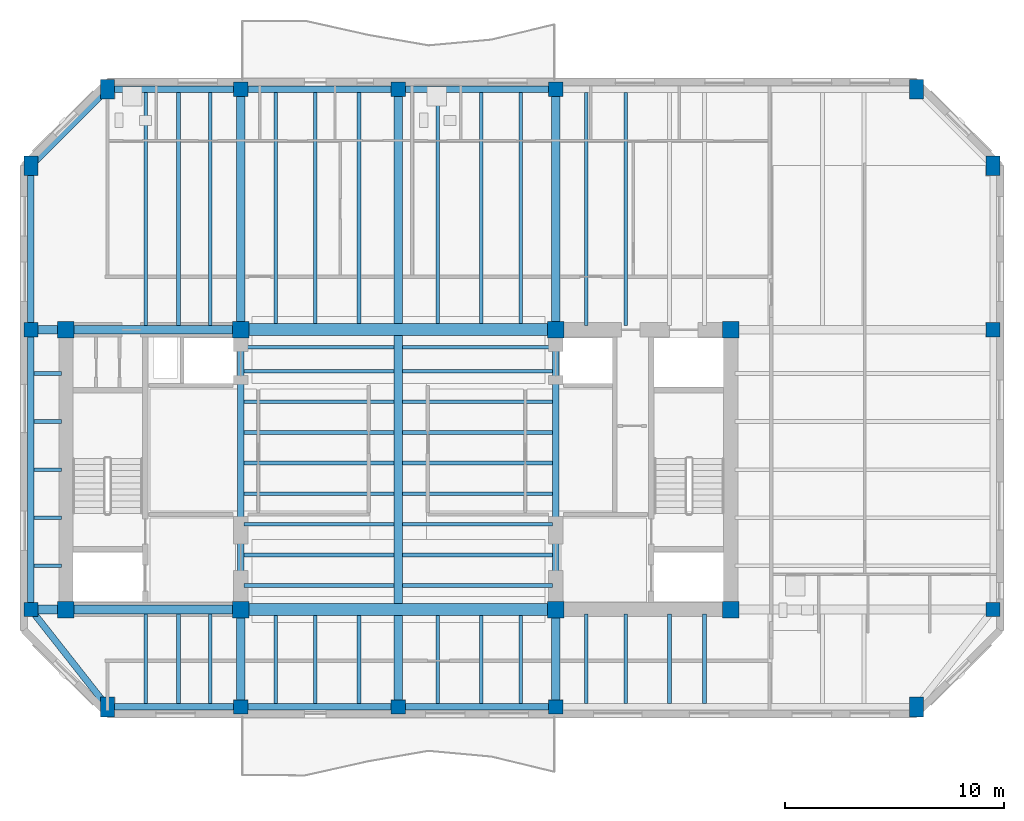
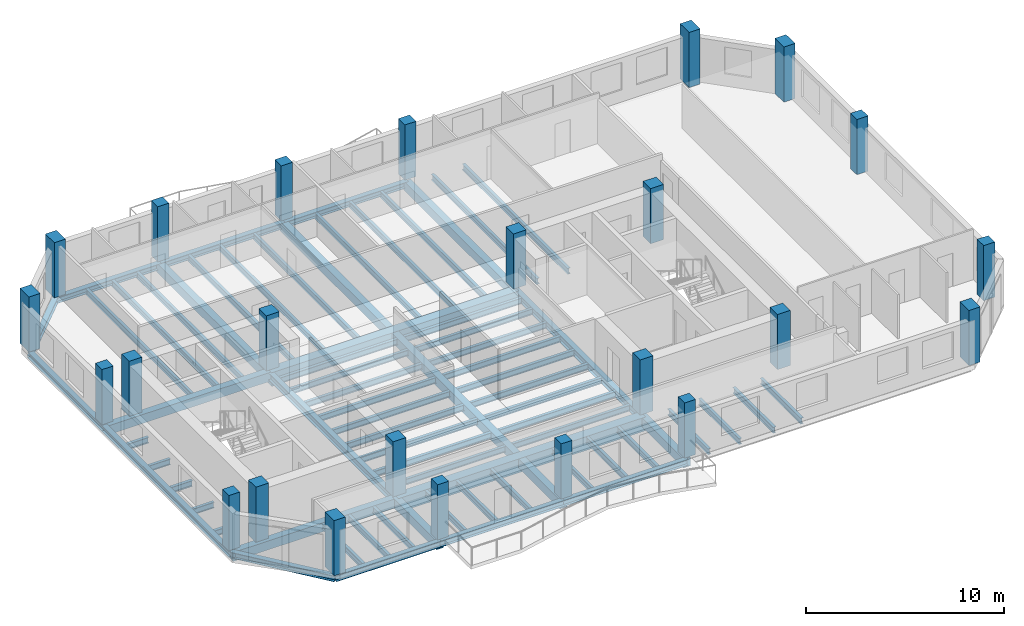
# One storey, part 1 of 9: 70 beams, 24 columns.
"""IFC4 building model written with IfcOpenShell, lengths in metres."""

import ifcopenshell
import ifcopenshell.guid

model = None  # the IFC model being written
_history = None  # IfcOwnerHistory: only IFC2X3 demands one
_inside = {}  # id of a spatial element -> (the spatial element, [elements in it])
_under = {}  # id of a project, library or spatial element -> (it, [spatial elements below it])
_declared = {}  # id of a project -> (the project, [libraries it declares])
_typed = {}  # id of a type object -> (the type object, [elements of that type])
_made_of = {}  # id of a material, layer set ... -> (it, [elements and type objects made of it])


def new_model(schema):
    """Start an empty IFC model of exactly this schema.

    Asked for "IFC4X3", IfcOpenShell would pick the latest addendum, in which some entities
    have other attributes; the version numbers below select the first issue.
    IFC2X3 requires an IfcOwnerHistory on every rooted entity: one is made here for all.
    """
    global model, _history
    if schema == "IFC4X3":
        model = ifcopenshell.file(schema_version=(4, 3, 0, 0))
    else:
        model = ifcopenshell.file(schema=schema)
    _inside.clear()
    _under.clear()
    _declared.clear()
    _typed.clear()
    _made_of.clear()
    _history = None
    if model.schema == "IFC2X3":
        org = make("IfcOrganization", Name="unknown")
        user = make(
            "IfcPersonAndOrganization",
            ThePerson=make("IfcPerson", FamilyName="unknown"),
            TheOrganization=org,
        )
        app = make(
            "IfcApplication",
            ApplicationDeveloper=org,
            Version="unknown",
            ApplicationFullName="unknown",
            ApplicationIdentifier="unknown",
        )
        _history = make(
            "IfcOwnerHistory",
            OwningUser=user,
            OwningApplication=app,
            ChangeAction="ADDED",
            CreationDate=0,
        )
    return model


def make(cls, **values):
    """One entity of the class cls with the attributes given. An attribute that is None is left unset."""
    return model.create_entity(
        cls, **{name: value for name, value in values.items() if value is not None}
    )


def rooted(cls, **values):
    """An entity with a GlobalId (a new one), such as an element, a storey or a relation."""
    return make(cls, GlobalId=ifcopenshell.guid.new(), OwnerHistory=_history, **values)


def si_unit(unit_type, name, prefix=None):
    """IfcSIUnit, for example si_unit("LENGTHUNIT", "METRE", prefix="MILLI")."""
    return make("IfcSIUnit", UnitType=unit_type, Prefix=prefix, Name=name)


def assignment(units):
    """IfcUnitAssignment: the units of a project."""
    return None if units is None else make("IfcUnitAssignment", Units=units)


def point(xyz):
    """IfcCartesianPoint."""
    return None if xyz is None else make("IfcCartesianPoint", Coordinates=xyz)


def direction(xyz):
    """IfcDirection."""
    return None if xyz is None else make("IfcDirection", DirectionRatios=xyz)


def frame(location, z_axis=None, x_axis=None):
    """IfcAxis2Placement3D, a coordinate frame: its origin and axes. An axis left out is left unset."""
    return make(
        "IfcAxis2Placement3D",
        Location=point(location),
        Axis=direction(z_axis),
        RefDirection=direction(x_axis),
    )


def frame_2d(location, x_axis=None):
    """IfcAxis2Placement2D, a coordinate frame in the plane: its origin and x axis."""
    return make(
        "IfcAxis2Placement2D", Location=point(location), RefDirection=direction(x_axis)
    )


def origin():
    """The frame at (0, 0, 0) with its axes left unset."""
    return frame((0.0, 0.0, 0.0))


def origin_2d():
    """The frame at (0, 0) in the plane with its x axis left unset."""
    return frame_2d((0.0, 0.0))


def place(relative_to, where):
    """IfcLocalPlacement: puts the frame where relative to a parent placement (None: the world)."""
    return make(
        "IfcLocalPlacement", PlacementRelTo=relative_to, RelativePlacement=where
    )


def context(
    kind, dimensions, precision=None, world=None, true_north=None, identifier=None
):
    """IfcGeometricRepresentationContext, for example the 3D "Model" context."""
    return make(
        "IfcGeometricRepresentationContext",
        ContextIdentifier=identifier,
        ContextType=kind,
        CoordinateSpaceDimension=dimensions,
        Precision=precision,
        WorldCoordinateSystem=world,
        TrueNorth=true_north,
    )


def subcontext(parent, identifier, kind, view, scale=None):
    """IfcGeometricRepresentationSubContext, for example "Body" below "Model"."""
    return make(
        "IfcGeometricRepresentationSubContext",
        ContextIdentifier=identifier,
        ContextType=kind,
        ParentContext=parent,
        TargetScale=scale,
        TargetView=view,
    )


def project(units=None, contexts=None):
    """IfcProject with its units and contexts."""
    return rooted(
        "IfcProject",
        Name="project",
        RepresentationContexts=contexts,
        UnitsInContext=assignment(units),
    )


def spatial(cls, under=None, at=None, **own):
    """A site, building, storey or space (cls), placed at a placement, below another one or the project."""
    s = rooted(cls, ObjectPlacement=at, **own)
    if under is not None:
        _under.setdefault(under.id(), (under, []))[1].append(s)
    return s


def profile(cls, at=None, kind="AREA", **sizes):
    """A parametric profile (cls). Its sizes go by their IFC names, for example OverallWidth=200.0."""
    return make(cls, ProfileType=kind, Position=at, **sizes)


def rectangle(**sizes):
    """IfcRectangleProfileDef."""
    return profile("IfcRectangleProfileDef", **sizes)


def i_section(**sizes):
    """IfcIShapeProfileDef."""
    return profile("IfcIShapeProfileDef", **sizes)


def extrude(swept, where, along, depth):
    """IfcExtrudedAreaSolid: the profile swept, set in the frame where, extruded along a direction by depth."""
    return make(
        "IfcExtrudedAreaSolid",
        SweptArea=swept,
        Position=where,
        ExtrudedDirection=direction(along),
        Depth=depth,
    )


def shape(context_of_items, identifier, shape_type, items):
    """IfcShapeRepresentation: the items that make up one representation, for example the "Body"."""
    return make(
        "IfcShapeRepresentation",
        ContextOfItems=context_of_items,
        RepresentationIdentifier=identifier,
        RepresentationType=shape_type,
        Items=items,
    )


def material(Name=None, Category=None):
    """IfcMaterial."""
    return make("IfcMaterial", Name=Name, Category=Category)


def material_profile(
    of_material, cross_section, Name=None, Category=None, Priority=None
):
    """IfcMaterialProfile: a cross section and its material."""
    return make(
        "IfcMaterialProfile",
        Name=Name,
        Material=of_material,
        Profile=cross_section,
        Priority=Priority,
        Category=Category,
    )


def profile_set(profiles, Name=None, composite=None):
    """IfcMaterialProfileSet."""
    return make(
        "IfcMaterialProfileSet",
        Name=Name,
        MaterialProfiles=profiles,
        CompositeProfile=composite,
    )


def made_of(thing, what):
    """Note that an element or type object is made of a material, layer set ...; save() writes the relation."""
    if what is not None:
        _made_of.setdefault(what.id(), (what, []))[1].append(thing)
    return thing


def type_object(cls, material=None, **own):
    """A type object (cls), such as IfcWallType, which elements share."""
    return made_of(rooted(cls, **own), material)


def element(
    cls,
    number,
    at=None,
    inside=None,
    cuts=None,
    type_object=None,
    material=None,
    context=None,
    identifier="Body",
    shape_type=None,
    held_by="IfcProductDefinitionShape",
    body=None,
    shapes=None,
    **own,
):
    """One element of the class cls, such as IfcWall. Its Tag is "e" and its number.

    at: its placement. inside: the storey or other place that contains it. cuts: it is an
    opening in that element (IfcRelVoidsElement). A single representation is given by context,
    identifier, shape_type and body (its items); several are given by shapes. held_by: the class
    of the entity that holds the representations. save() writes the other relations.
    """
    e = rooted(cls, Tag="e%d" % number, ObjectPlacement=at, **own)
    if body is not None:
        shapes = [shape(context, identifier, shape_type, body)]
    if shapes is not None:
        e.Representation = make(held_by, Representations=shapes)
    if inside is not None:
        _inside.setdefault(inside.id(), (inside, []))[1].append(e)
    if cuts is not None:
        rooted(
            "IfcRelVoidsElement", RelatingBuildingElement=cuts, RelatedOpeningElement=e
        )
    if type_object is not None:
        _typed.setdefault(type_object.id(), (type_object, []))[1].append(e)
    return made_of(e, material)


def aggregate(whole, parts):
    """IfcRelAggregates: a whole, such as a stair, and the parts it consists of."""
    return rooted("IfcRelAggregates", RelatingObject=whole, RelatedObjects=parts)


def save(model, path):
    """Write the relations noted so far, then the file.

    IfcRelAggregates (storeys below a building ...), IfcRelContainedInSpatialStructure (elements
    in a storey), IfcRelDefinesByType, IfcRelAssociatesMaterial and IfcRelDeclares: one each for
    every whole, place, type object, material and project.
    """
    for whole, parts in _under.values():
        aggregate(whole, parts)
    for where, things in _inside.values():
        rooted(
            "IfcRelContainedInSpatialStructure",
            RelatedElements=things,
            RelatingStructure=where,
        )
    for kind, things in _typed.values():
        rooted("IfcRelDefinesByType", RelatedObjects=things, RelatingType=kind)
    for what, things in _made_of.values():
        rooted("IfcRelAssociatesMaterial", RelatedObjects=things, RelatingMaterial=what)
    for by, libraries in _declared.values():
        rooted("IfcRelDeclares", RelatingContext=by, RelatedDefinitions=libraries)
    model.write(path)


model = new_model("IFC4")

# Units and contexts
model_context = context("Model", 3, precision=1e-05, world=origin(), true_north=direction((0.0, 1.0)))
body_context = subcontext(model_context, "Body", "Model", "MODEL_VIEW")
ifc_project = project(units=[si_unit("LENGTHUNIT", "METRE"), si_unit("AREAUNIT", "SQUARE_METRE"), si_unit("VOLUMEUNIT", "CUBIC_METRE"), si_unit("PLANEANGLEUNIT", "RADIAN"), si_unit("MASSUNIT", "GRAM", prefix="KILO")], contexts=[model_context])

# Site, building, storey
site_placement = place(None, origin())
site = spatial("IfcSite", under=ifc_project, at=site_placement, CompositionType="ELEMENT")
building_placement = place(site_placement, origin())
building = spatial("IfcBuilding", under=site, at=building_placement, Name="Kranthara Brick Stack", CompositionType="ELEMENT")
storey_placement = place(building_placement, frame((0.0, 0.0, 255.10009765625)))
storey = spatial("IfcBuildingStorey", under=building, at=storey_placement, Name="L67", CompositionType="ELEMENT", Elevation=255.10009765625)

# Columns
ifc_material_1 = material(Name="Concrete C50/60", Category="concrete")
ifc_material_profile_1 = material_profile(ifc_material_1, rectangle(XDim=0.64990234375, YDim=0.89990234375, at=origin_2d()), Name="RC 650x900")
ifc_profile_set_1 = profile_set([ifc_material_profile_1], Name="Concrete C50/60")
column_type_1 = type_object("IfcColumnType", Name="COL-CHAM-650x900", PredefinedType="COLUMN", material=ifc_profile_set_1)
for number, where, z_axis, x_axis, name in (
    (1, (14.699951171875, 16.35009765625, 0.0), (0.0, 0.0, 1.0), (1.0, 0.0, 0.0), "L67 Column 09"),
    (2, (14.699951171875, 44.60009765625, 0.0), (0.0, 0.0, 1.0), (1.0, 0.0, 0.0), "L67 Column 10"),
    (3, (51.699951171875, 16.35009765625, 0.0), (0.0, 0.0, 1.0), (1.0, 0.0, 0.0), "L67 Column 17"),
    (4, (51.699951171875, 44.60009765625, 0.0), (0.0, 0.0, 1.0), (1.0, 0.0, 0.0), "L67 Column 18"),
    (5, (11.199951171875, 41.10009765625, 0.0), (0.0, 0.0, 1.0), (1.0, 0.0, 0.0), "L67 Column 23"),
    (6, (55.199951171875, 41.10009765625, 0.0), (0.0, 0.0, 1.0), (1.0, 0.0, 0.0), "L67 Column 24"),
):
    element("IfcColumn", number, at=place(storey_placement, frame(where, z_axis=z_axis, x_axis=x_axis)), inside=storey, type_object=column_type_1, Name=name, PredefinedType="COLUMN", context=body_context, shape_type="SweptSolid", body=[
        extrude(rectangle(XDim=0.64990234375, YDim=0.89990234375, at=origin_2d()), origin(), (0.0, 0.0, 1.0), 3.39990234375),
    ])
ifc_material_2 = material(Name="Concrete C50/60", Category="concrete")
ifc_material_profile_2 = material_profile(ifc_material_2, rectangle(XDim=0.75, YDim=0.75, at=origin_2d()), Name="RC 750x750")
ifc_profile_set_2 = profile_set([ifc_material_profile_2], Name="Concrete C50/60")
column_type_2 = type_object("IfcColumnType", Name="COL-CORE-750", PredefinedType="COLUMN", material=ifc_profile_set_2)
for number, where, z_axis, x_axis, name in (
    (7, (12.800048828125, 20.800048828125, 0.0), (0.0, 0.0, 1.0), (1.0, 0.0, 0.0), "L67 Column 01"),
    (8, (20.800048828125, 20.800048828125, 0.0), (0.0, 0.0, 1.0), (1.0, 0.0, 0.0), "L67 Column 02"),
    (9, (12.800048828125, 33.60009765625, 0.0), (0.0, 0.0, 1.0), (1.0, 0.0, 0.0), "L67 Column 03"),
    (10, (20.800048828125, 33.60009765625, 0.0), (0.0, 0.0, 1.0), (1.0, 0.0, 0.0), "L67 Column 04"),
    (11, (35.199951171875, 20.800048828125, 0.0), (0.0, 0.0, 1.0), (1.0, 0.0, 0.0), "L67 Column 05"),
    (12, (43.199951171875, 20.800048828125, 0.0), (0.0, 0.0, 1.0), (1.0, 0.0, 0.0), "L67 Column 06"),
    (13, (35.199951171875, 33.60009765625, 0.0), (0.0, 0.0, 1.0), (1.0, 0.0, 0.0), "L67 Column 07"),
    (14, (43.199951171875, 33.60009765625, 0.0), (0.0, 0.0, 1.0), (1.0, 0.0, 0.0), "L67 Column 08"),
):
    element("IfcColumn", number, at=place(storey_placement, frame(where, z_axis=z_axis, x_axis=x_axis)), inside=storey, type_object=column_type_2, Name=name, PredefinedType="COLUMN", context=body_context, shape_type="SweptSolid", body=[
        extrude(rectangle(XDim=0.75, YDim=0.75, at=origin_2d()), origin(), (0.0, 0.0, 1.0), 3.39990234375),
    ])
ifc_material_3 = material(Name="Concrete C50/60", Category="concrete")
ifc_material_profile_3 = material_profile(ifc_material_3, rectangle(XDim=0.64990234375, YDim=0.64990234375, at=origin_2d()), Name="RC 650x650")
ifc_profile_set_3 = profile_set([ifc_material_profile_3], Name="Concrete C50/60")
column_type_3 = type_object("IfcColumnType", Name="COL-PER-650", PredefinedType="COLUMN", material=ifc_profile_set_3)
for number, where, z_axis, x_axis, name in (
    (15, (20.800048828125, 16.35009765625, 0.0), (0.0, 0.0, 1.0), (1.0, 0.0, 0.0), "L67 Column 11"),
    (16, (20.800048828125, 44.60009765625, 0.0), (0.0, 0.0, 1.0), (1.0, 0.0, 0.0), "L67 Column 12"),
    (17, (28.0, 16.35009765625, 0.0), (0.0, 0.0, 1.0), (1.0, 0.0, 0.0), "L67 Column 13"),
    (18, (28.0, 44.60009765625, 0.0), (0.0, 0.0, 1.0), (1.0, 0.0, 0.0), "L67 Column 14"),
    (19, (35.199951171875, 16.35009765625, 0.0), (0.0, 0.0, 1.0), (1.0, 0.0, 0.0), "L67 Column 15"),
    (20, (35.199951171875, 44.60009765625, 0.0), (0.0, 0.0, 1.0), (1.0, 0.0, 0.0), "L67 Column 16"),
    (21, (11.199951171875, 20.800048828125, 0.0), (0.0, 0.0, 1.0), (1.0, 0.0, 0.0), "L67 Column 19"),
    (22, (55.199951171875, 20.800048828125, 0.0), (0.0, 0.0, 1.0), (1.0, 0.0, 0.0), "L67 Column 20"),
    (23, (11.199951171875, 33.60009765625, 0.0), (0.0, 0.0, 1.0), (1.0, 0.0, 0.0), "L67 Column 21"),
    (24, (55.199951171875, 33.60009765625, 0.0), (0.0, 0.0, 1.0), (1.0, 0.0, 0.0), "L67 Column 22"),
):
    element("IfcColumn", number, at=place(storey_placement, frame(where, z_axis=z_axis, x_axis=x_axis)), inside=storey, type_object=column_type_3, Name=name, PredefinedType="COLUMN", context=body_context, shape_type="SweptSolid", body=[
        extrude(rectangle(XDim=0.64990234375, YDim=0.64990234375, at=origin_2d()), origin(), (0.0, 0.0, 1.0), 3.39990234375),
    ])

# Beams
ifc_material_4 = material(Name="Concrete C50/60", Category="concrete")
ifc_material_profile_4 = material_profile(ifc_material_4, rectangle(XDim=0.550048828125, YDim=0.85009765625, at=origin_2d()), Name="RC 550x850")
ifc_profile_set_4 = profile_set([ifc_material_profile_4], Name="Concrete C50/60")
beam_type_1 = type_object("IfcBeamType", Name="BM-CPL-RC850", PredefinedType="LINTEL", material=ifc_profile_set_4)
for number, where, z_axis, x_axis, name in (
    (25, (20.800048828125, 20.800048828125, -0.72509765625), (1.0, 0.0, 0.0), (0.0, 1.0, 0.0), "L67 Core Coupling Beam 001"),
    (26, (20.800048828125, 33.60009765625, -0.72509765625), (1.0, 0.0, 0.0), (0.0, 1.0, 0.0), "L67 Core Coupling Beam 002"),
):
    element("IfcBeam", number, at=place(storey_placement, frame(where, z_axis=z_axis, x_axis=x_axis)), inside=storey, type_object=beam_type_1, Name=name, PredefinedType="LINTEL", context=body_context, shape_type="SweptSolid", body=[
        extrude(rectangle(XDim=0.550048828125, YDim=0.85009765625, at=origin_2d()), origin(), (0.0, 0.0, 1.0), 14.39990234375),
    ])
ifc_material_5 = material(Name="Post-tensioned concrete C45/55", Category="concrete")
ifc_material_profile_5 = material_profile(ifc_material_5, rectangle(XDim=0.39990234375, YDim=0.550048828125, at=origin_2d()), Name="PT 400x550")
ifc_profile_set_5 = profile_set([ifc_material_profile_5], Name="Post-tensioned concrete C45/55")
beam_type_2 = type_object("IfcBeamType", Name="BM-FLR-PT550", PredefinedType="BEAM", material=ifc_profile_set_5)
beam_1_placement = place(storey_placement, frame((20.800048828125, 16.35009765625, -0.5751953125), z_axis=(0.0, 1.0, 0.0), x_axis=(-1.0, 0.0, 0.0)))
element("IfcBeam", 27, at=beam_1_placement, inside=storey, type_object=beam_type_2, Name="L67 Primary Grid Girder 021", PredefinedType="BEAM", context=body_context, shape_type="SweptSolid", body=[
    extrude(rectangle(XDim=0.39990234375, YDim=0.550048828125, at=origin_2d()), origin(), (0.0, 0.0, 1.0), 4.449951171875),
])
beam_2_placement = place(storey_placement, frame((20.800048828125, 33.60009765625, -0.5751953125), z_axis=(0.0, 1.0, 0.0), x_axis=(-1.0, 0.0, 0.0)))
element("IfcBeam", 28, at=beam_2_placement, inside=storey, type_object=beam_type_2, Name="L67 Primary Grid Girder 022", PredefinedType="BEAM", context=body_context, shape_type="SweptSolid", body=[
    extrude(rectangle(XDim=0.39990234375, YDim=0.550048828125, at=origin_2d()), origin(), (0.0, 0.0, 1.0), 11.0),
])
beam_3_placement = place(storey_placement, frame((28.0, 16.35009765625, -0.5751953125), z_axis=(0.0, 1.0, 0.0), x_axis=(-1.0, 0.0, 0.0)))
element("IfcBeam", 29, at=beam_3_placement, inside=storey, type_object=beam_type_2, Name="L67 Primary Grid Girder 023", PredefinedType="BEAM", context=body_context, shape_type="SweptSolid", body=[
    extrude(rectangle(XDim=0.39990234375, YDim=0.550048828125, at=origin_2d()), origin(), (0.0, 0.0, 1.0), 4.1748046875),
])
beam_4_placement = place(storey_placement, frame((28.0, 21.074951171875, -0.5751953125), z_axis=(0.0, 1.0, 0.0), x_axis=(-1.0, 0.0, 0.0)))
element("IfcBeam", 30, at=beam_4_placement, inside=storey, type_object=beam_type_2, Name="L67 Central Spine Girder 024", PredefinedType="BEAM", context=body_context, shape_type="SweptSolid", body=[
    extrude(rectangle(XDim=0.39990234375, YDim=0.550048828125, at=origin_2d()), origin(), (0.0, 0.0, 1.0), 12.25),
])
beam_5_placement = place(storey_placement, frame((28.0, 33.875, -0.5751953125), z_axis=(0.0, 1.0, 0.0), x_axis=(-1.0, 0.0, 0.0)))
element("IfcBeam", 31, at=beam_5_placement, inside=storey, type_object=beam_type_2, Name="L67 Primary Grid Girder 025", PredefinedType="BEAM", context=body_context, shape_type="SweptSolid", body=[
    extrude(rectangle(XDim=0.39990234375, YDim=0.550048828125, at=origin_2d()), origin(), (0.0, 0.0, 1.0), 10.72509765625),
])
beam_6_placement = place(storey_placement, frame((35.199951171875, 16.35009765625, -0.5751953125), z_axis=(0.0, 1.0, 0.0), x_axis=(-1.0, 0.0, 0.0)))
element("IfcBeam", 32, at=beam_6_placement, inside=storey, type_object=beam_type_2, Name="L67 Primary Grid Girder 026", PredefinedType="BEAM", context=body_context, shape_type="SweptSolid", body=[
    extrude(rectangle(XDim=0.39990234375, YDim=0.550048828125, at=origin_2d()), origin(), (0.0, 0.0, 1.0), 4.449951171875),
])
beam_7_placement = place(storey_placement, frame((35.199951171875, 33.60009765625, -0.5751953125), z_axis=(0.0, 1.0, 0.0), x_axis=(-1.0, 0.0, 0.0)))
element("IfcBeam", 33, at=beam_7_placement, inside=storey, type_object=beam_type_2, Name="L67 Primary Grid Girder 027", PredefinedType="BEAM", context=body_context, shape_type="SweptSolid", body=[
    extrude(rectangle(XDim=0.39990234375, YDim=0.550048828125, at=origin_2d()), origin(), (0.0, 0.0, 1.0), 11.0),
])
for number, where, z_axis, x_axis, name in (
    (34, (11.199951171875, 20.800048828125, -0.5751953125), (1.0, 0.0, 0.0), (0.0, 1.0, 0.0), "L67 Primary Grid Girder 028"),
    (35, (11.199951171875, 33.60009765625, -0.5751953125), (1.0, 0.0, 0.0), (0.0, 1.0, 0.0), "L67 Primary Grid Girder 030"),
):
    element("IfcBeam", number, at=place(storey_placement, frame(where, z_axis=z_axis, x_axis=x_axis)), inside=storey, type_object=beam_type_2, Name=name, PredefinedType="BEAM", context=body_context, shape_type="SweptSolid", body=[
        extrude(rectangle(XDim=0.39990234375, YDim=0.550048828125, at=origin_2d()), origin(), (0.0, 0.0, 1.0), 9.60009765625),
    ])
ifc_material_6 = material(Name="Steel S355", Category="steel")
ifc_material_profile_6 = material_profile(ifc_material_6, i_section(OverallWidth=0.169921875, OverallDepth=0.360107421875, WebThickness=0.008056640625, FlangeThickness=0.0126953125, at=origin_2d()), Name="IPE 360")
ifc_profile_set_6 = profile_set([ifc_material_profile_6], Name="Steel S355")
beam_type_3 = type_object("IfcBeamType", Name="BM-JST-IPE360", PredefinedType="JOIST", material=ifc_profile_set_6)
for number, where, z_axis, x_axis, name in (
    (36, (20.949951171875, 21.89990234375, -0.47998046875), (1.0, 0.0, 0.0), (0.0, 1.0, 0.0), "L67 Central Floor Joist 032"),
    (37, (28.199951171875, 21.89990234375, -0.47998046875), (1.0, 0.0, 0.0), (0.0, 1.0, 0.0), "L67 Central Floor Joist 033"),
    (38, (20.949951171875, 23.300048828125, -0.47998046875), (1.0, 0.0, 0.0), (0.0, 1.0, 0.0), "L67 Central Floor Joist 034"),
    (39, (28.199951171875, 23.300048828125, -0.47998046875), (1.0, 0.0, 0.0), (0.0, 1.0, 0.0), "L67 Central Floor Joist 035"),
    (40, (20.949951171875, 24.699951171875, -0.47998046875), (1.0, 0.0, 0.0), (0.0, 1.0, 0.0), "L67 Central Floor Joist 036"),
    (41, (28.199951171875, 24.699951171875, -0.47998046875), (1.0, 0.0, 0.0), (0.0, 1.0, 0.0), "L67 Central Floor Joist 037"),
    (42, (20.949951171875, 26.10009765625, -0.47998046875), (1.0, 0.0, 0.0), (0.0, 1.0, 0.0), "L67 Central Floor Joist 038"),
    (43, (28.199951171875, 26.10009765625, -0.47998046875), (1.0, 0.0, 0.0), (0.0, 1.0, 0.0), "L67 Central Floor Joist 039"),
    (44, (20.949951171875, 27.5, -0.47998046875), (1.0, 0.0, 0.0), (0.0, 1.0, 0.0), "L67 Central Floor Joist 040"),
    (45, (28.199951171875, 27.5, -0.47998046875), (1.0, 0.0, 0.0), (0.0, 1.0, 0.0), "L67 Central Floor Joist 041"),
    (46, (20.949951171875, 28.89990234375, -0.47998046875), (1.0, 0.0, 0.0), (0.0, 1.0, 0.0), "L67 Central Floor Joist 042"),
    (47, (28.199951171875, 28.89990234375, -0.47998046875), (1.0, 0.0, 0.0), (0.0, 1.0, 0.0), "L67 Central Floor Joist 043"),
    (48, (20.949951171875, 30.300048828125, -0.47998046875), (1.0, 0.0, 0.0), (0.0, 1.0, 0.0), "L67 Central Floor Joist 044"),
    (49, (28.199951171875, 30.300048828125, -0.47998046875), (1.0, 0.0, 0.0), (0.0, 1.0, 0.0), "L67 Central Floor Joist 045"),
    (50, (20.949951171875, 31.699951171875, -0.47998046875), (1.0, 0.0, 0.0), (0.0, 1.0, 0.0), "L67 Central Floor Joist 046"),
    (51, (28.199951171875, 31.699951171875, -0.47998046875), (1.0, 0.0, 0.0), (0.0, 1.0, 0.0), "L67 Central Floor Joist 047"),
    (52, (20.949951171875, 32.800048828125, -0.47998046875), (1.0, 0.0, 0.0), (0.0, 1.0, 0.0), "L67 Central Floor Joist 048"),
    (53, (28.199951171875, 32.800048828125, -0.47998046875), (1.0, 0.0, 0.0), (0.0, 1.0, 0.0), "L67 Central Floor Joist 049"),
):
    element("IfcBeam", number, at=place(storey_placement, frame(where, z_axis=z_axis, x_axis=x_axis)), inside=storey, type_object=beam_type_3, Name=name, PredefinedType="JOIST", context=body_context, shape_type="SweptSolid", body=[
        extrude(i_section(OverallWidth=0.169921875, OverallDepth=0.360107421875, WebThickness=0.008056640625, FlangeThickness=0.0126953125, at=origin_2d()), origin(), (0.0, 0.0, 1.0), 6.85009765625),
    ])
beam_8_placement = place(storey_placement, frame((16.449951171875, 16.5, -0.47998046875), z_axis=(0.0, 1.0, 0.0), x_axis=(-1.0, 0.0, 0.0)))
element("IfcBeam", 54, at=beam_8_placement, inside=storey, type_object=beam_type_3, Name="L67 South Wing Floor Joist 050", PredefinedType="JOIST", context=body_context, shape_type="SweptSolid", body=[
    extrude(i_section(OverallWidth=0.169921875, OverallDepth=0.360107421875, WebThickness=0.008056640625, FlangeThickness=0.0126953125, at=origin_2d()), origin(), (0.0, 0.0, 1.0), 4.10009765625),
])
beam_9_placement = place(storey_placement, frame((16.449951171875, 33.800048828125, -0.47998046875), z_axis=(0.0, 1.0, 0.0), x_axis=(-1.0, 0.0, 0.0)))
element("IfcBeam", 55, at=beam_9_placement, inside=storey, type_object=beam_type_3, Name="L67 North Wing Floor Joist 051", PredefinedType="JOIST", context=body_context, shape_type="SweptSolid", body=[
    extrude(i_section(OverallWidth=0.169921875, OverallDepth=0.360107421875, WebThickness=0.008056640625, FlangeThickness=0.0126953125, at=origin_2d()), origin(), (0.0, 0.0, 1.0), 10.64990234375),
])
beam_10_placement = place(storey_placement, frame((17.949951171875, 16.5, -0.47998046875), z_axis=(0.0, 1.0, 0.0), x_axis=(-1.0, 0.0, 0.0)))
element("IfcBeam", 56, at=beam_10_placement, inside=storey, type_object=beam_type_3, Name="L67 South Wing Floor Joist 052", PredefinedType="JOIST", context=body_context, shape_type="SweptSolid", body=[
    extrude(i_section(OverallWidth=0.169921875, OverallDepth=0.360107421875, WebThickness=0.008056640625, FlangeThickness=0.0126953125, at=origin_2d()), origin(), (0.0, 0.0, 1.0), 4.10009765625),
])
beam_11_placement = place(storey_placement, frame((17.949951171875, 33.800048828125, -0.47998046875), z_axis=(0.0, 1.0, 0.0), x_axis=(-1.0, 0.0, 0.0)))
element("IfcBeam", 57, at=beam_11_placement, inside=storey, type_object=beam_type_3, Name="L67 North Wing Floor Joist 053", PredefinedType="JOIST", context=body_context, shape_type="SweptSolid", body=[
    extrude(i_section(OverallWidth=0.169921875, OverallDepth=0.360107421875, WebThickness=0.008056640625, FlangeThickness=0.0126953125, at=origin_2d()), origin(), (0.0, 0.0, 1.0), 10.64990234375),
])
beam_12_placement = place(storey_placement, frame((19.39990234375, 16.5, -0.47998046875), z_axis=(0.0, 1.0, 0.0), x_axis=(-1.0, 0.0, 0.0)))
element("IfcBeam", 58, at=beam_12_placement, inside=storey, type_object=beam_type_3, Name="L67 South Wing Floor Joist 054", PredefinedType="JOIST", context=body_context, shape_type="SweptSolid", body=[
    extrude(i_section(OverallWidth=0.169921875, OverallDepth=0.360107421875, WebThickness=0.008056640625, FlangeThickness=0.0126953125, at=origin_2d()), origin(), (0.0, 0.0, 1.0), 4.10009765625),
])
beam_13_placement = place(storey_placement, frame((19.39990234375, 33.800048828125, -0.47998046875), z_axis=(0.0, 1.0, 0.0), x_axis=(-1.0, 0.0, 0.0)))
element("IfcBeam", 59, at=beam_13_placement, inside=storey, type_object=beam_type_3, Name="L67 North Wing Floor Joist 055", PredefinedType="JOIST", context=body_context, shape_type="SweptSolid", body=[
    extrude(i_section(OverallWidth=0.169921875, OverallDepth=0.360107421875, WebThickness=0.008056640625, FlangeThickness=0.0126953125, at=origin_2d()), origin(), (0.0, 0.0, 1.0), 10.64990234375),
])
beam_14_placement = place(storey_placement, frame((22.39990234375, 16.5, -0.47998046875), z_axis=(0.0, 1.0, 0.0), x_axis=(-1.0, 0.0, 0.0)))
element("IfcBeam", 60, at=beam_14_placement, inside=storey, type_object=beam_type_3, Name="L67 South Wing Floor Joist 056", PredefinedType="JOIST", context=body_context, shape_type="SweptSolid", body=[
    extrude(i_section(OverallWidth=0.169921875, OverallDepth=0.360107421875, WebThickness=0.008056640625, FlangeThickness=0.0126953125, at=origin_2d()), origin(), (0.0, 0.0, 1.0), 4.02490234375),
])
beam_15_placement = place(storey_placement, frame((22.39990234375, 33.875, -0.47998046875), z_axis=(0.0, 1.0, 0.0), x_axis=(-1.0, 0.0, 0.0)))
element("IfcBeam", 61, at=beam_15_placement, inside=storey, type_object=beam_type_3, Name="L67 North Wing Floor Joist 057", PredefinedType="JOIST", context=body_context, shape_type="SweptSolid", body=[
    extrude(i_section(OverallWidth=0.169921875, OverallDepth=0.360107421875, WebThickness=0.008056640625, FlangeThickness=0.0126953125, at=origin_2d()), origin(), (0.0, 0.0, 1.0), 10.574951171875),
])
beam_16_placement = place(storey_placement, frame((24.199951171875, 16.5, -0.47998046875), z_axis=(0.0, 1.0, 0.0), x_axis=(-1.0, 0.0, 0.0)))
element("IfcBeam", 62, at=beam_16_placement, inside=storey, type_object=beam_type_3, Name="L67 South Wing Floor Joist 058", PredefinedType="JOIST", context=body_context, shape_type="SweptSolid", body=[
    extrude(i_section(OverallWidth=0.169921875, OverallDepth=0.360107421875, WebThickness=0.008056640625, FlangeThickness=0.0126953125, at=origin_2d()), origin(), (0.0, 0.0, 1.0), 4.02490234375),
])
beam_17_placement = place(storey_placement, frame((24.199951171875, 33.875, -0.47998046875), z_axis=(0.0, 1.0, 0.0), x_axis=(-1.0, 0.0, 0.0)))
element("IfcBeam", 63, at=beam_17_placement, inside=storey, type_object=beam_type_3, Name="L67 North Wing Floor Joist 059", PredefinedType="JOIST", context=body_context, shape_type="SweptSolid", body=[
    extrude(i_section(OverallWidth=0.169921875, OverallDepth=0.360107421875, WebThickness=0.008056640625, FlangeThickness=0.0126953125, at=origin_2d()), origin(), (0.0, 0.0, 1.0), 10.574951171875),
])
beam_18_placement = place(storey_placement, frame((26.199951171875, 16.5, -0.47998046875), z_axis=(0.0, 1.0, 0.0), x_axis=(-1.0, 0.0, 0.0)))
element("IfcBeam", 64, at=beam_18_placement, inside=storey, type_object=beam_type_3, Name="L67 South Wing Floor Joist 060", PredefinedType="JOIST", context=body_context, shape_type="SweptSolid", body=[
    extrude(i_section(OverallWidth=0.169921875, OverallDepth=0.360107421875, WebThickness=0.008056640625, FlangeThickness=0.0126953125, at=origin_2d()), origin(), (0.0, 0.0, 1.0), 4.02490234375),
])
beam_19_placement = place(storey_placement, frame((26.199951171875, 33.875, -0.47998046875), z_axis=(0.0, 1.0, 0.0), x_axis=(-1.0, 0.0, 0.0)))
element("IfcBeam", 65, at=beam_19_placement, inside=storey, type_object=beam_type_3, Name="L67 North Wing Floor Joist 061", PredefinedType="JOIST", context=body_context, shape_type="SweptSolid", body=[
    extrude(i_section(OverallWidth=0.169921875, OverallDepth=0.360107421875, WebThickness=0.008056640625, FlangeThickness=0.0126953125, at=origin_2d()), origin(), (0.0, 0.0, 1.0), 10.574951171875),
])
beam_20_placement = place(storey_placement, frame((29.800048828125, 16.5, -0.47998046875), z_axis=(0.0, 1.0, 0.0), x_axis=(-1.0, 0.0, 0.0)))
element("IfcBeam", 66, at=beam_20_placement, inside=storey, type_object=beam_type_3, Name="L67 South Wing Floor Joist 062", PredefinedType="JOIST", context=body_context, shape_type="SweptSolid", body=[
    extrude(i_section(OverallWidth=0.169921875, OverallDepth=0.360107421875, WebThickness=0.008056640625, FlangeThickness=0.0126953125, at=origin_2d()), origin(), (0.0, 0.0, 1.0), 4.02490234375),
])
beam_21_placement = place(storey_placement, frame((29.800048828125, 33.875, -0.47998046875), z_axis=(0.0, 1.0, 0.0), x_axis=(-1.0, 0.0, 0.0)))
element("IfcBeam", 67, at=beam_21_placement, inside=storey, type_object=beam_type_3, Name="L67 North Wing Floor Joist 063", PredefinedType="JOIST", context=body_context, shape_type="SweptSolid", body=[
    extrude(i_section(OverallWidth=0.169921875, OverallDepth=0.360107421875, WebThickness=0.008056640625, FlangeThickness=0.0126953125, at=origin_2d()), origin(), (0.0, 0.0, 1.0), 10.574951171875),
])
beam_22_placement = place(storey_placement, frame((31.800048828125, 16.5, -0.47998046875), z_axis=(0.0, 1.0, 0.0), x_axis=(-1.0, 0.0, 0.0)))
element("IfcBeam", 68, at=beam_22_placement, inside=storey, type_object=beam_type_3, Name="L67 South Wing Floor Joist 064", PredefinedType="JOIST", context=body_context, shape_type="SweptSolid", body=[
    extrude(i_section(OverallWidth=0.169921875, OverallDepth=0.360107421875, WebThickness=0.008056640625, FlangeThickness=0.0126953125, at=origin_2d()), origin(), (0.0, 0.0, 1.0), 4.02490234375),
])
beam_23_placement = place(storey_placement, frame((31.800048828125, 33.875, -0.47998046875), z_axis=(0.0, 1.0, 0.0), x_axis=(-1.0, 0.0, 0.0)))
element("IfcBeam", 69, at=beam_23_placement, inside=storey, type_object=beam_type_3, Name="L67 North Wing Floor Joist 065", PredefinedType="JOIST", context=body_context, shape_type="SweptSolid", body=[
    extrude(i_section(OverallWidth=0.169921875, OverallDepth=0.360107421875, WebThickness=0.008056640625, FlangeThickness=0.0126953125, at=origin_2d()), origin(), (0.0, 0.0, 1.0), 10.574951171875),
])
beam_24_placement = place(storey_placement, frame((33.60009765625, 16.5, -0.47998046875), z_axis=(0.0, 1.0, 0.0), x_axis=(-1.0, 0.0, 0.0)))
element("IfcBeam", 70, at=beam_24_placement, inside=storey, type_object=beam_type_3, Name="L67 South Wing Floor Joist 066", PredefinedType="JOIST", context=body_context, shape_type="SweptSolid", body=[
    extrude(i_section(OverallWidth=0.169921875, OverallDepth=0.360107421875, WebThickness=0.008056640625, FlangeThickness=0.0126953125, at=origin_2d()), origin(), (0.0, 0.0, 1.0), 4.02490234375),
])
beam_25_placement = place(storey_placement, frame((33.60009765625, 33.875, -0.47998046875), z_axis=(0.0, 1.0, 0.0), x_axis=(-1.0, 0.0, 0.0)))
element("IfcBeam", 71, at=beam_25_placement, inside=storey, type_object=beam_type_3, Name="L67 North Wing Floor Joist 067", PredefinedType="JOIST", context=body_context, shape_type="SweptSolid", body=[
    extrude(i_section(OverallWidth=0.169921875, OverallDepth=0.360107421875, WebThickness=0.008056640625, FlangeThickness=0.0126953125, at=origin_2d()), origin(), (0.0, 0.0, 1.0), 10.574951171875),
])
beam_26_placement = place(storey_placement, frame((36.60009765625, 16.5, -0.47998046875), z_axis=(0.0, 1.0, 0.0), x_axis=(-1.0, 0.0, 0.0)))
element("IfcBeam", 72, at=beam_26_placement, inside=storey, type_object=beam_type_3, Name="L67 South Wing Floor Joist 068", PredefinedType="JOIST", context=body_context, shape_type="SweptSolid", body=[
    extrude(i_section(OverallWidth=0.169921875, OverallDepth=0.360107421875, WebThickness=0.008056640625, FlangeThickness=0.0126953125, at=origin_2d()), origin(), (0.0, 0.0, 1.0), 4.10009765625),
])
beam_27_placement = place(storey_placement, frame((36.60009765625, 33.800048828125, -0.47998046875), z_axis=(0.0, 1.0, 0.0), x_axis=(-1.0, 0.0, 0.0)))
element("IfcBeam", 73, at=beam_27_placement, inside=storey, type_object=beam_type_3, Name="L67 North Wing Floor Joist 069", PredefinedType="JOIST", context=body_context, shape_type="SweptSolid", body=[
    extrude(i_section(OverallWidth=0.169921875, OverallDepth=0.360107421875, WebThickness=0.008056640625, FlangeThickness=0.0126953125, at=origin_2d()), origin(), (0.0, 0.0, 1.0), 10.64990234375),
])
beam_28_placement = place(storey_placement, frame((38.39990234375, 16.5, -0.47998046875), z_axis=(0.0, 1.0, 0.0), x_axis=(-1.0, 0.0, 0.0)))
element("IfcBeam", 74, at=beam_28_placement, inside=storey, type_object=beam_type_3, Name="L67 South Wing Floor Joist 070", PredefinedType="JOIST", context=body_context, shape_type="SweptSolid", body=[
    extrude(i_section(OverallWidth=0.169921875, OverallDepth=0.360107421875, WebThickness=0.008056640625, FlangeThickness=0.0126953125, at=origin_2d()), origin(), (0.0, 0.0, 1.0), 4.10009765625),
])
beam_29_placement = place(storey_placement, frame((38.39990234375, 33.800048828125, -0.47998046875), z_axis=(0.0, 1.0, 0.0), x_axis=(-1.0, 0.0, 0.0)))
element("IfcBeam", 75, at=beam_29_placement, inside=storey, type_object=beam_type_3, Name="L67 North Wing Floor Joist 071", PredefinedType="JOIST", context=body_context, shape_type="SweptSolid", body=[
    extrude(i_section(OverallWidth=0.169921875, OverallDepth=0.360107421875, WebThickness=0.008056640625, FlangeThickness=0.0126953125, at=origin_2d()), origin(), (0.0, 0.0, 1.0), 10.64990234375),
])
for number, where, z_axis, x_axis, name in (
    (76, (40.39990234375, 16.5, -0.47998046875), (0.0, 1.0, 0.0), (-1.0, 0.0, 0.0), "L67 South Wing Floor Joist 072"),
    (77, (42.0, 16.5, -0.47998046875), (0.0, 1.0, 0.0), (-1.0, 0.0, 0.0), "L67 South Wing Floor Joist 074"),
):
    element("IfcBeam", number, at=place(storey_placement, frame(where, z_axis=z_axis, x_axis=x_axis)), inside=storey, type_object=beam_type_3, Name=name, PredefinedType="JOIST", context=body_context, shape_type="SweptSolid", body=[
        extrude(i_section(OverallWidth=0.169921875, OverallDepth=0.360107421875, WebThickness=0.008056640625, FlangeThickness=0.0126953125, at=origin_2d()), origin(), (0.0, 0.0, 1.0), 4.10009765625),
    ])
for number, where, z_axis, x_axis, name in (
    (78, (11.35009765625, 22.800048828125, -0.47998046875), (1.0, 0.0, 0.0), (0.0, 1.0, 0.0), "L67 West Wing Floor Joist 082"),
    (79, (11.35009765625, 25.0, -0.47998046875), (1.0, 0.0, 0.0), (0.0, 1.0, 0.0), "L67 West Wing Floor Joist 084"),
    (80, (11.35009765625, 27.199951171875, -0.47998046875), (1.0, 0.0, 0.0), (0.0, 1.0, 0.0), "L67 West Wing Floor Joist 086"),
    (81, (11.35009765625, 29.39990234375, -0.47998046875), (1.0, 0.0, 0.0), (0.0, 1.0, 0.0), "L67 West Wing Floor Joist 088"),
    (82, (11.35009765625, 31.60009765625, -0.47998046875), (1.0, 0.0, 0.0), (0.0, 1.0, 0.0), "L67 West Wing Floor Joist 090"),
):
    element("IfcBeam", number, at=place(storey_placement, frame(where, z_axis=z_axis, x_axis=x_axis)), inside=storey, type_object=beam_type_3, Name=name, PredefinedType="JOIST", context=body_context, shape_type="SweptSolid", body=[
        extrude(i_section(OverallWidth=0.169921875, OverallDepth=0.360107421875, WebThickness=0.008056640625, FlangeThickness=0.0126953125, at=origin_2d()), origin(), (0.0, 0.0, 1.0), 1.25),
    ])
ifc_material_7 = material(Name="Steel S355", Category="steel")
ifc_material_profile_7 = material_profile(ifc_material_7, i_section(OverallWidth=0.300048828125, OverallDepth=0.360107421875, WebThickness=0.012451171875, FlangeThickness=0.0224609375, at=origin_2d()), Name="HEB 360")
ifc_profile_set_7 = profile_set([ifc_material_profile_7], Name="Steel S355")
beam_type_4 = type_object("IfcBeamType", Name="BM-STL-HEB360", PredefinedType="SPANDREL", material=ifc_profile_set_7)
beam_30_placement = place(storey_placement, frame((14.699951171875, 16.35009765625, -0.47998046875), z_axis=(1.0, 0.0, 0.0), x_axis=(0.0, 1.0, 0.0)))
element("IfcBeam", 83, at=beam_30_placement, inside=storey, type_object=beam_type_4, Name="L67 Perimeter Spandrel Beam 005", PredefinedType="SPANDREL", context=body_context, shape_type="SweptSolid", body=[
    extrude(i_section(OverallWidth=0.300048828125, OverallDepth=0.360107421875, WebThickness=0.012451171875, FlangeThickness=0.0224609375, at=origin_2d()), origin(), (0.0, 0.0, 1.0), 6.10009765625),
])
for number, where, z_axis, x_axis, name in (
    (84, (20.800048828125, 16.35009765625, -0.47998046875), (1.0, 0.0, 0.0), (0.0, 1.0, 0.0), "L67 Perimeter Spandrel Beam 006"),
    (85, (28.0, 16.35009765625, -0.47998046875), (1.0, 0.0, 0.0), (0.0, 1.0, 0.0), "L67 Perimeter Spandrel Beam 007"),
):
    element("IfcBeam", number, at=place(storey_placement, frame(where, z_axis=z_axis, x_axis=x_axis)), inside=storey, type_object=beam_type_4, Name=name, PredefinedType="SPANDREL", context=body_context, shape_type="SweptSolid", body=[
        extrude(i_section(OverallWidth=0.300048828125, OverallDepth=0.360107421875, WebThickness=0.012451171875, FlangeThickness=0.0224609375, at=origin_2d()), origin(), (0.0, 0.0, 1.0), 7.199951171875),
    ])
beam_31_placement = place(storey_placement, frame((14.699951171875, 44.60009765625, -0.47998046875), z_axis=(1.0, 0.0, 0.0), x_axis=(0.0, 1.0, 0.0)))
element("IfcBeam", 86, at=beam_31_placement, inside=storey, type_object=beam_type_4, Name="L67 Perimeter Spandrel Beam 009", PredefinedType="SPANDREL", context=body_context, shape_type="SweptSolid", body=[
    extrude(i_section(OverallWidth=0.300048828125, OverallDepth=0.360107421875, WebThickness=0.012451171875, FlangeThickness=0.0224609375, at=origin_2d()), origin(), (0.0, 0.0, 1.0), 6.10009765625),
])
for number, where, z_axis, x_axis, name in (
    (87, (20.800048828125, 44.60009765625, -0.47998046875), (1.0, 0.0, 0.0), (0.0, 1.0, 0.0), "L67 Perimeter Spandrel Beam 010"),
    (88, (28.0, 44.60009765625, -0.47998046875), (1.0, 0.0, 0.0), (0.0, 1.0, 0.0), "L67 Perimeter Spandrel Beam 011"),
):
    element("IfcBeam", number, at=place(storey_placement, frame(where, z_axis=z_axis, x_axis=x_axis)), inside=storey, type_object=beam_type_4, Name=name, PredefinedType="SPANDREL", context=body_context, shape_type="SweptSolid", body=[
        extrude(i_section(OverallWidth=0.300048828125, OverallDepth=0.360107421875, WebThickness=0.012451171875, FlangeThickness=0.0224609375, at=origin_2d()), origin(), (0.0, 0.0, 1.0), 7.199951171875),
    ])
beam_32_placement = place(storey_placement, frame((11.199951171875, 20.800048828125, -0.47998046875), z_axis=(0.0, 1.0, 0.0), x_axis=(-1.0, 0.0, 0.0)))
element("IfcBeam", 89, at=beam_32_placement, inside=storey, type_object=beam_type_4, Name="L67 Perimeter Spandrel Beam 013", PredefinedType="SPANDREL", context=body_context, shape_type="SweptSolid", body=[
    extrude(i_section(OverallWidth=0.300048828125, OverallDepth=0.360107421875, WebThickness=0.012451171875, FlangeThickness=0.0224609375, at=origin_2d()), origin(), (0.0, 0.0, 1.0), 12.800048828125),
])
beam_33_placement = place(storey_placement, frame((11.199951171875, 33.60009765625, -0.47998046875), z_axis=(0.0, 1.0, 0.0), x_axis=(-1.0, 0.0, 0.0)))
element("IfcBeam", 90, at=beam_33_placement, inside=storey, type_object=beam_type_4, Name="L67 Perimeter Spandrel Beam 014", PredefinedType="SPANDREL", context=body_context, shape_type="SweptSolid", body=[
    extrude(i_section(OverallWidth=0.300048828125, OverallDepth=0.360107421875, WebThickness=0.012451171875, FlangeThickness=0.0224609375, at=origin_2d()), origin(), (0.0, 0.0, 1.0), 7.5),
])
beam_34_placement = place(storey_placement, frame((14.699951171875, 16.35009765625, -0.47998046875), z_axis=(-0.618215705636, 0.78600848679, 0.0), x_axis=(-0.78600848679, -0.618215705636, 0.0)))
element("IfcBeam", 91, at=beam_34_placement, inside=storey, type_object=beam_type_4, Name="L67 Chamfer Corner Spandrel 017", PredefinedType="SPANDREL", context=body_context, shape_type="SweptSolid", body=[
    extrude(i_section(OverallWidth=0.300048828125, OverallDepth=0.360107421875, WebThickness=0.012451171875, FlangeThickness=0.0224609375, at=origin_2d()), origin(), (0.0, 0.0, 1.0), 5.661376953125),
])
beam_35_placement = place(storey_placement, frame((14.699951171875, 44.60009765625, -0.47998046875), z_axis=(-0.707106781187, -0.707106781187, 0.0), x_axis=(0.707106781187, -0.707106781187, 0.0)))
element("IfcBeam", 92, at=beam_35_placement, inside=storey, type_object=beam_type_4, Name="L67 Chamfer Corner Spandrel 019", PredefinedType="SPANDREL", context=body_context, shape_type="SweptSolid", body=[
    extrude(i_section(OverallWidth=0.300048828125, OverallDepth=0.360107421875, WebThickness=0.012451171875, FlangeThickness=0.0224609375, at=origin_2d()), origin(), (0.0, 0.0, 1.0), 4.94970703125),
])
ifc_material_8 = material(Name="Steel S355", Category="steel")
ifc_material_profile_8 = material_profile(ifc_material_8, i_section(OverallWidth=0.300048828125, OverallDepth=0.449951171875, WebThickness=0.013916015625, FlangeThickness=0.02587890625, at=origin_2d()), Name="HEB 450")
ifc_profile_set_8 = profile_set([ifc_material_profile_8], Name="Steel S355")
beam_type_5 = type_object("IfcBeamType", Name="BM-STL-HEB450", PredefinedType="SPANDREL", material=ifc_profile_set_8)
for number, where, z_axis, x_axis, name in (
    (93, (20.800048828125, 20.800048828125, -0.525146484375), (0.0, 1.0, 0.0), (-1.0, 0.0, 0.0), "L67 Core Edge Tie Beam 003"),
    (94, (35.199951171875, 20.800048828125, -0.525146484375), (0.0, 1.0, 0.0), (-1.0, 0.0, 0.0), "L67 Core Edge Tie Beam 004"),
):
    element("IfcBeam", number, at=place(storey_placement, frame(where, z_axis=z_axis, x_axis=x_axis)), inside=storey, type_object=beam_type_5, Name=name, PredefinedType="SPANDREL", context=body_context, shape_type="SweptSolid", body=[
        extrude(i_section(OverallWidth=0.300048828125, OverallDepth=0.449951171875, WebThickness=0.013916015625, FlangeThickness=0.02587890625, at=origin_2d()), origin(), (0.0, 0.0, 1.0), 12.800048828125),
    ])

save(model, "model.ifc")
